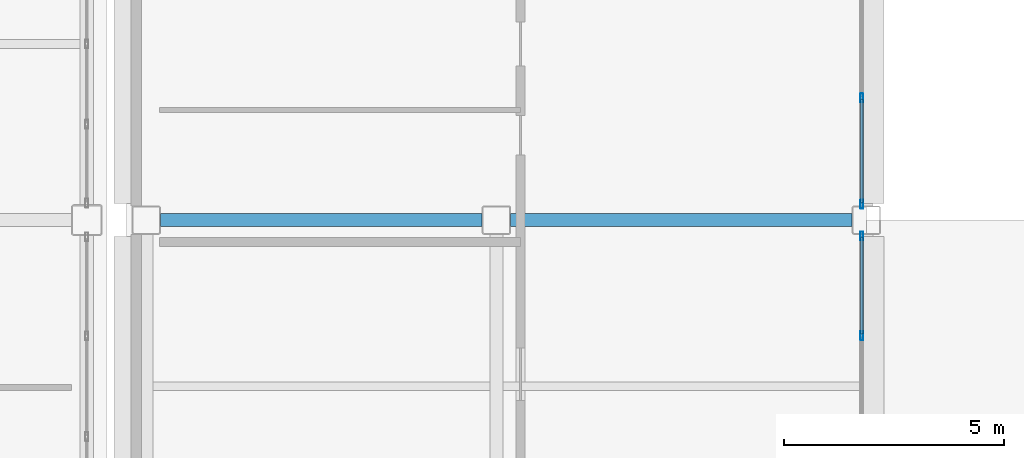
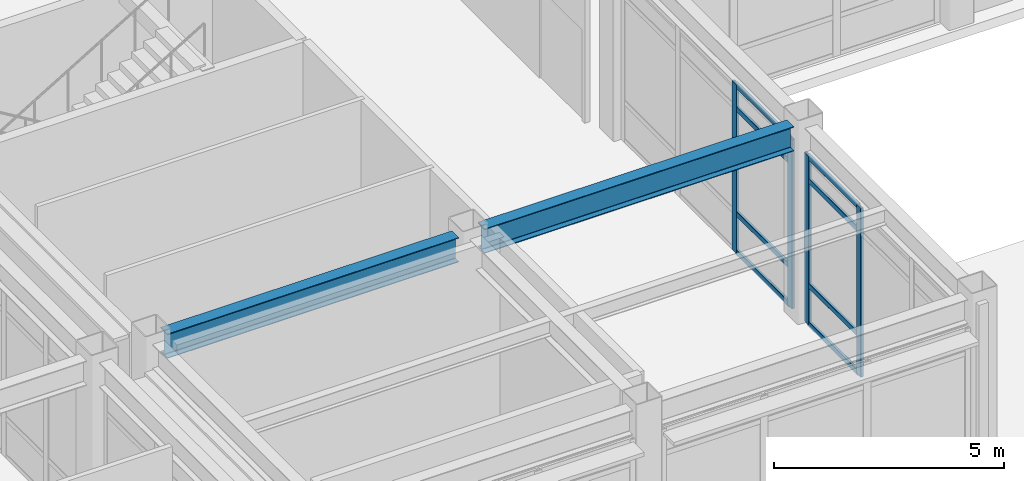
# One storey, part 36 of 165: 12 members, 2 beams, 2 elements without a shape of their own.
"""IFC4 building model written with IfcOpenShell, lengths in metres."""

from ifc_helpers import new_model, si_unit, direction, frame, origin, origin_2d, place, context, subcontext, project, spatial, hollow_rectangle, i_section, extrude, material, layer, layer_set, material_profile, profile_set, type_object, element, aggregate, save


model = new_model("IFC4")

# Units and contexts
model_context = context("Model", 3, precision=1e-05, world=origin(), true_north=direction((0.0, 1.0)))
body_context = subcontext(model_context, "Body", "Model", "MODEL_VIEW")
ifc_project = project(units=[si_unit("LENGTHUNIT", "METRE"), si_unit("AREAUNIT", "SQUARE_METRE"), si_unit("VOLUMEUNIT", "CUBIC_METRE"), si_unit("PLANEANGLEUNIT", "RADIAN"), si_unit("MASSUNIT", "GRAM", prefix="KILO")], contexts=[model_context])

# Site, building, storey
site_placement = place(None, origin())
site = spatial("IfcSite", under=ifc_project, at=site_placement, CompositionType="ELEMENT")
building_placement = place(site_placement, origin())
building = spatial("IfcBuilding", under=site, at=building_placement, Name="Kazehara Bluff Congress Hotel", CompositionType="ELEMENT")
storey_placement = place(building_placement, origin())
storey = spatial("IfcBuildingStorey", under=building, at=storey_placement, Name="L00", CompositionType="ELEMENT", Elevation=0.0)

# Curtain wall, members
ifc_material_1 = material(Name="Anodised aluminium", Category="aluminium")
ifc_layer_1 = layer(ifc_material_1, 0.159912109375)
ifc_layer_set_1 = layer_set([ifc_layer_1], Name="Anodised aluminium")
curtain_wall_type_1 = type_object("IfcCurtainWallType", Name="TP-CW-51", PredefinedType="NOTDEFINED", material=ifc_layer_set_1)
curtain_wall_1_placement = place(storey_placement, origin())
curtain_wall_1 = element("IfcCurtainWall", 1, at=curtain_wall_1_placement, inside=storey, type_object=curtain_wall_type_1, Name="L00 curtain wall CW-51 CW-ENC-V4-L00-7595-422", PredefinedType="NOTDEFINED")
ifc_material_2 = material(Name="Anodised aluminium", Category="aluminium")
ifc_material_profile_1 = material_profile(ifc_material_2, hollow_rectangle(XDim=0.070068359375, YDim=0.199951171875, WallThickness=0.0048828125, InnerFilletRadius=0.0048828125, OuterFilletRadius=0.010009765625, at=origin_2d()))
ifc_profile_set_1 = profile_set([ifc_material_profile_1], Name="Anodised aluminium")
member_type_1 = type_object("IfcMemberType", Name="TP-CWM-03", PredefinedType="MULLION", material=ifc_profile_set_1)
member_1_placement = place(storey_placement, frame((75.949951171875, 7.639892578125, 0.0), z_axis=(0.0, 0.0, 1.0), x_axis=(1.0, 0.0, 0.0)))
member_1 = element("IfcMember", 2, at=member_1_placement, type_object=member_type_1, Name="CW-51 mullion 1", PredefinedType="MULLION", context=body_context, shape_type="SweptSolid", body=[
    extrude(hollow_rectangle(XDim=0.070068359375, YDim=0.199951171875, WallThickness=0.0048828125, InnerFilletRadius=0.0048828125, OuterFilletRadius=0.010009765625, at=origin_2d()), origin(), (0.0, 0.0, 1.0), 4.47509765625),
])
member_2_placement = place(storey_placement, frame((75.949951171875, 5.375, 0.0), z_axis=(0.0, 0.0, 1.0), x_axis=(1.0, 0.0, 0.0)))
member_2 = element("IfcMember", 3, at=member_2_placement, type_object=member_type_1, Name="CW-51 mullion 2", PredefinedType="MULLION", context=body_context, shape_type="SweptSolid", body=[
    extrude(hollow_rectangle(XDim=0.070068359375, YDim=0.199951171875, WallThickness=0.0048828125, InnerFilletRadius=0.0048828125, OuterFilletRadius=0.010009765625, at=origin_2d()), origin(), (0.0, 0.0, 1.0), 4.47509765625),
])

ifc_material_3 = material(Name="Anodised aluminium", Category="aluminium")
ifc_layer_2 = layer(ifc_material_3, 0.159912109375)
ifc_layer_set_2 = layer_set([ifc_layer_2], Name="Anodised aluminium")
curtain_wall_type_2 = type_object("IfcCurtainWallType", Name="TP-CW-52", PredefinedType="NOTDEFINED", material=ifc_layer_set_2)
curtain_wall_2_placement = place(storey_placement, origin())
curtain_wall_2 = element("IfcCurtainWall", 4, at=curtain_wall_2_placement, inside=storey, type_object=curtain_wall_type_2, Name="L00 curtain wall CW-52 CW-ENC-V4-L00-7595-1200", PredefinedType="NOTDEFINED")
member_3_placement = place(storey_placement, frame((75.949951171875, 10.77490234375, 0.0), z_axis=(0.0, 0.0, 1.0), x_axis=(1.0, 0.0, 0.0)))
member_3 = element("IfcMember", 5, at=member_3_placement, type_object=member_type_1, Name="CW-52 mullion 3", PredefinedType="MULLION", context=body_context, shape_type="SweptSolid", body=[
    extrude(hollow_rectangle(XDim=0.070068359375, YDim=0.199951171875, WallThickness=0.0048828125, InnerFilletRadius=0.0048828125, OuterFilletRadius=0.010009765625, at=origin_2d()), origin(), (0.0, 0.0, 1.0), 4.47509765625),
])
member_4_placement = place(storey_placement, frame((75.949951171875, 8.360107421875, 0.0), z_axis=(0.0, 0.0, 1.0), x_axis=(1.0, 0.0, 0.0)))
member_4 = element("IfcMember", 6, at=member_4_placement, type_object=member_type_1, Name="CW-52 mullion 4", PredefinedType="MULLION", context=body_context, shape_type="SweptSolid", body=[
    extrude(hollow_rectangle(XDim=0.070068359375, YDim=0.199951171875, WallThickness=0.0048828125, InnerFilletRadius=0.0048828125, OuterFilletRadius=0.010009765625, at=origin_2d()), origin(), (0.0, 0.0, 1.0), 4.47509765625),
])

# Member
ifc_material_4 = material(Name="Anodised aluminium", Category="aluminium")
ifc_material_profile_2 = material_profile(ifc_material_4, hollow_rectangle(XDim=0.06494140625, YDim=0.139892578125, WallThickness=0.00390625, InnerFilletRadius=0.00390625, OuterFilletRadius=0.008056640625, at=origin_2d()))
ifc_profile_set_2 = profile_set([ifc_material_profile_2], Name="Anodised aluminium")
member_type_2 = type_object("IfcMemberType", Name="TP-CWT-02", PredefinedType="USERDEFINED", material=ifc_profile_set_2)
member_5_placement = place(storey_placement, frame((75.949951171875, 7.60498046875, 0.032470703125), z_axis=(0.0, -1.0, 0.0), x_axis=(1.0, 0.0, 0.0)))
member_5 = element("IfcMember", 7, at=member_5_placement, type_object=member_type_2, Name="CW-51 transom 1.1", ObjectType="TRANSOM", PredefinedType="USERDEFINED", context=body_context, shape_type="SweptSolid", body=[
    extrude(hollow_rectangle(XDim=0.06494140625, YDim=0.139892578125, WallThickness=0.00390625, InnerFilletRadius=0.00390625, OuterFilletRadius=0.008056640625, at=origin_2d()), origin(), (0.0, 0.0, 1.0), 2.195068359375),
])

member_6_placement = place(storey_placement, frame((75.949951171875, 7.60498046875, 1.050048828125), z_axis=(0.0, -1.0, 0.0), x_axis=(1.0, 0.0, 0.0)))
member_6 = element("IfcMember", 8, at=member_6_placement, type_object=member_type_2, Name="CW-51 transom 1.2", ObjectType="TRANSOM", PredefinedType="USERDEFINED", context=body_context, shape_type="SweptSolid", body=[
    extrude(hollow_rectangle(XDim=0.06494140625, YDim=0.139892578125, WallThickness=0.00390625, InnerFilletRadius=0.00390625, OuterFilletRadius=0.008056640625, at=origin_2d()), origin(), (0.0, 0.0, 1.0), 2.195068359375),
])

member_7_placement = place(storey_placement, frame((75.949951171875, 7.60498046875, 3.824951171875), z_axis=(0.0, -1.0, 0.0), x_axis=(1.0, 0.0, 0.0)))
member_7 = element("IfcMember", 9, at=member_7_placement, type_object=member_type_2, Name="CW-51 transom 1.3", ObjectType="TRANSOM", PredefinedType="USERDEFINED", context=body_context, shape_type="SweptSolid", body=[
    extrude(hollow_rectangle(XDim=0.06494140625, YDim=0.139892578125, WallThickness=0.00390625, InnerFilletRadius=0.00390625, OuterFilletRadius=0.008056640625, at=origin_2d()), origin(), (0.0, 0.0, 1.0), 2.195068359375),
])

member_8_placement = place(storey_placement, frame((75.949951171875, 7.60498046875, 4.4423828125), z_axis=(0.0, -1.0, 0.0), x_axis=(1.0, 0.0, 0.0)))
member_8 = element("IfcMember", 10, at=member_8_placement, type_object=member_type_2, Name="CW-51 transom 1.4", ObjectType="TRANSOM", PredefinedType="USERDEFINED", context=body_context, shape_type="SweptSolid", body=[
    extrude(hollow_rectangle(XDim=0.06494140625, YDim=0.139892578125, WallThickness=0.00390625, InnerFilletRadius=0.00390625, OuterFilletRadius=0.008056640625, at=origin_2d()), origin(), (0.0, 0.0, 1.0), 2.195068359375),
])

aggregate(curtain_wall_1, [member_1, member_2, member_5, member_6, member_7, member_8])

member_9_placement = place(storey_placement, frame((75.949951171875, 10.739990234375, 0.032470703125), z_axis=(0.0, -1.0, 0.0), x_axis=(1.0, 0.0, 0.0)))
member_9 = element("IfcMember", 11, at=member_9_placement, type_object=member_type_2, Name="CW-52 transom 3.1", ObjectType="TRANSOM", PredefinedType="USERDEFINED", context=body_context, shape_type="SweptSolid", body=[
    extrude(hollow_rectangle(XDim=0.06494140625, YDim=0.139892578125, WallThickness=0.00390625, InnerFilletRadius=0.00390625, OuterFilletRadius=0.008056640625, at=origin_2d()), origin(), (0.0, 0.0, 1.0), 2.344970703125),
])

member_10_placement = place(storey_placement, frame((75.949951171875, 10.739990234375, 1.050048828125), z_axis=(0.0, -1.0, 0.0), x_axis=(1.0, 0.0, 0.0)))
member_10 = element("IfcMember", 12, at=member_10_placement, type_object=member_type_2, Name="CW-52 transom 3.2", ObjectType="TRANSOM", PredefinedType="USERDEFINED", context=body_context, shape_type="SweptSolid", body=[
    extrude(hollow_rectangle(XDim=0.06494140625, YDim=0.139892578125, WallThickness=0.00390625, InnerFilletRadius=0.00390625, OuterFilletRadius=0.008056640625, at=origin_2d()), origin(), (0.0, 0.0, 1.0), 2.344970703125),
])

member_11_placement = place(storey_placement, frame((75.949951171875, 10.739990234375, 3.824951171875), z_axis=(0.0, -1.0, 0.0), x_axis=(1.0, 0.0, 0.0)))
member_11 = element("IfcMember", 13, at=member_11_placement, type_object=member_type_2, Name="CW-52 transom 3.3", ObjectType="TRANSOM", PredefinedType="USERDEFINED", context=body_context, shape_type="SweptSolid", body=[
    extrude(hollow_rectangle(XDim=0.06494140625, YDim=0.139892578125, WallThickness=0.00390625, InnerFilletRadius=0.00390625, OuterFilletRadius=0.008056640625, at=origin_2d()), origin(), (0.0, 0.0, 1.0), 2.344970703125),
])

member_12_placement = place(storey_placement, frame((75.949951171875, 10.739990234375, 4.4423828125), z_axis=(0.0, -1.0, 0.0), x_axis=(1.0, 0.0, 0.0)))
member_12 = element("IfcMember", 14, at=member_12_placement, type_object=member_type_2, Name="CW-52 transom 3.4", ObjectType="TRANSOM", PredefinedType="USERDEFINED", context=body_context, shape_type="SweptSolid", body=[
    extrude(hollow_rectangle(XDim=0.06494140625, YDim=0.139892578125, WallThickness=0.00390625, InnerFilletRadius=0.00390625, OuterFilletRadius=0.008056640625, at=origin_2d()), origin(), (0.0, 0.0, 1.0), 2.344970703125),
])

aggregate(curtain_wall_2, [member_3, member_4, member_9, member_10, member_11, member_12])

# Beams
ifc_material_5 = material(Name="Steel SN490B", Category="steel")
ifc_material_profile_3 = material_profile(ifc_material_5, i_section(OverallWidth=0.300048828125, OverallDepth=0.64990234375, WebThickness=0.011962890625, FlangeThickness=0.02001953125, FilletRadius=0.012939453125, at=origin_2d()))
ifc_profile_set_3 = profile_set([ifc_material_profile_3], Name="Steel SN490B")
beam_type = type_object("IfcBeamType", Name="TP-G-03", PredefinedType="BEAM", material=ifc_profile_set_3)
beam_1_placement = place(storey_placement, frame((60.02490234375, 8.0, 4.824951171875), z_axis=(1.0, 0.0, 0.0), x_axis=(0.0, 1.0, 0.0)))
element("IfcBeam", 15, at=beam_1_placement, inside=storey, type_object=beam_type, Name="L00 girder G-03 187", PredefinedType="BEAM", context=body_context, shape_type="SweptSolid", body=[
    extrude(i_section(OverallWidth=0.300048828125, OverallDepth=0.64990234375, WebThickness=0.011962890625, FlangeThickness=0.02001953125, FilletRadius=0.012939453125, at=origin_2d()), origin(), (0.0, 0.0, 1.0), 7.300048828125),
])
beam_2_placement = place(storey_placement, frame((67.97509765625, 8.0, 4.824951171875), z_axis=(1.0, 0.0, 0.0), x_axis=(0.0, 1.0, 0.0)))
element("IfcBeam", 16, at=beam_2_placement, inside=storey, type_object=beam_type, Name="L00 girder G-03 188", PredefinedType="BEAM", context=body_context, shape_type="SweptSolid", body=[
    extrude(i_section(OverallWidth=0.300048828125, OverallDepth=0.64990234375, WebThickness=0.011962890625, FlangeThickness=0.02001953125, FilletRadius=0.012939453125, at=origin_2d()), origin(), (0.0, 0.0, 1.0), 7.75),
])

save(model, "model.ifc")
